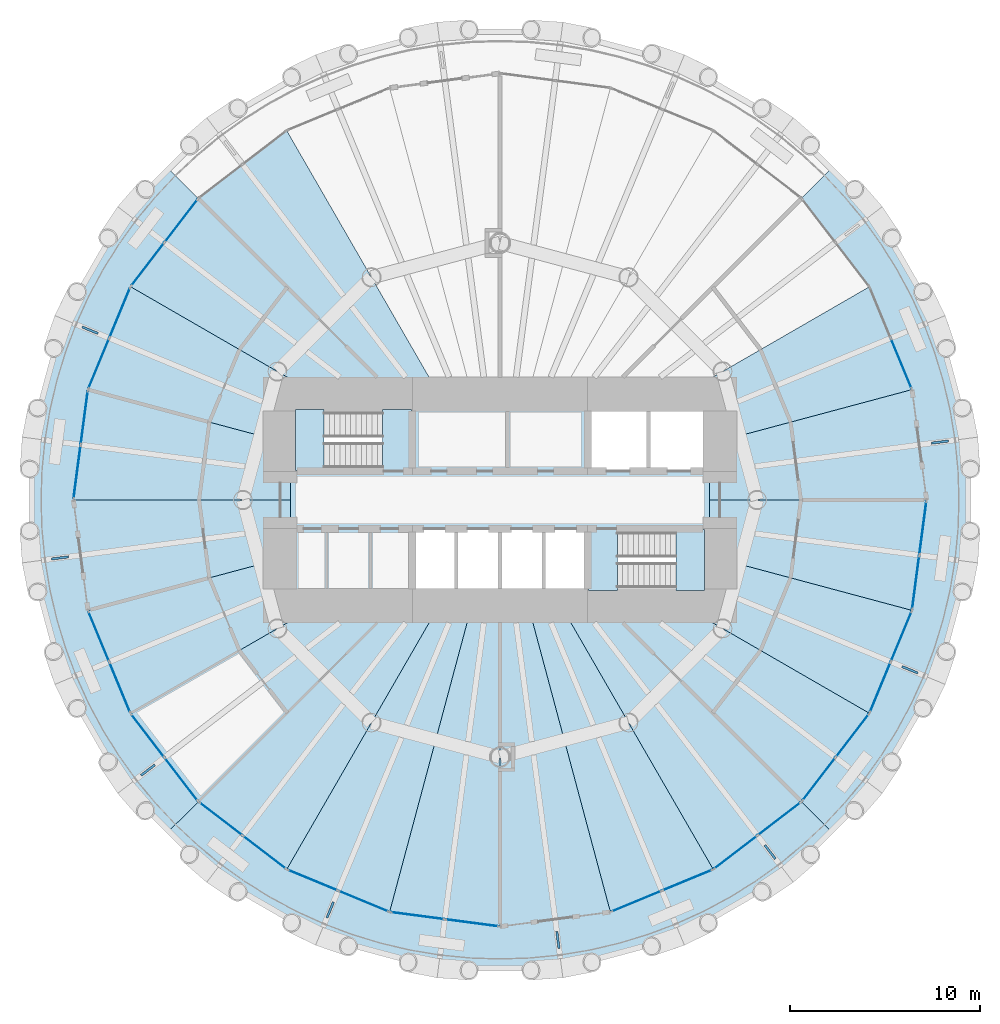
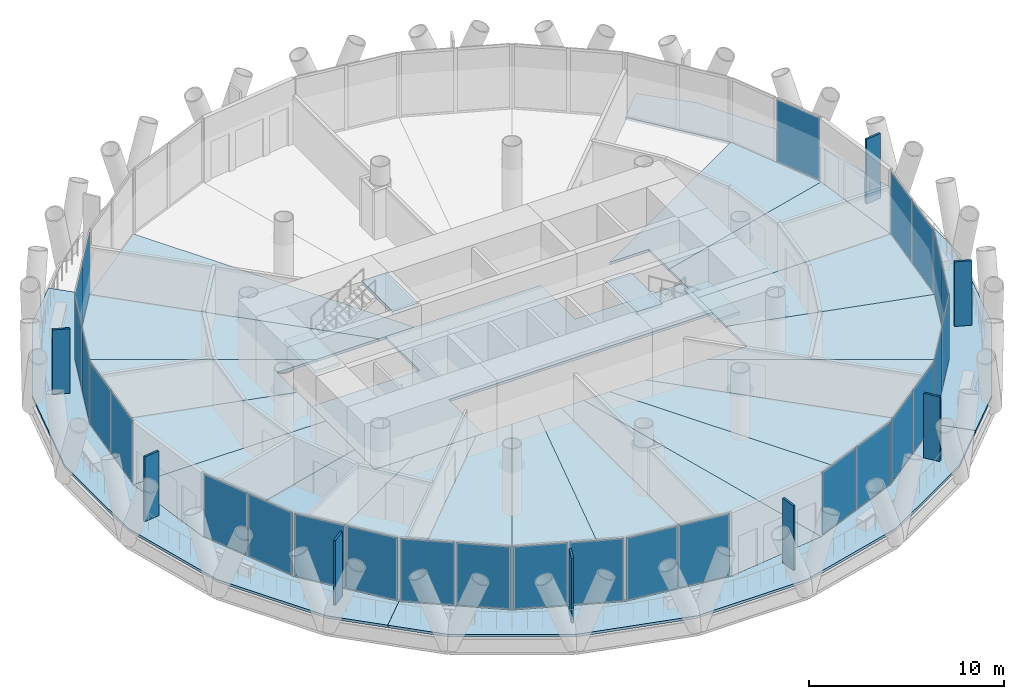
# One storey, part 7 of 14: 35 plates, 26 slabs, 16 elements without a shape of their own.
"""IFC4 building model written with IfcOpenShell, lengths in metres."""

from ifc_helpers import new_model, si_unit, direction, frame, origin, origin_2d, place, context, subcontext, project, spatial, polyline, rectangle, outline, extrude, material, layer, layer_set, type_object, element, aggregate, save


model = new_model("IFC4")

# Units and contexts
model_context = context("Model", 3, precision=1e-05, world=origin(), true_north=direction((0.0, 1.0)))
body_context = subcontext(model_context, "Body", "Model", "MODEL_VIEW")
ifc_project = project(units=[si_unit("LENGTHUNIT", "METRE"), si_unit("AREAUNIT", "SQUARE_METRE"), si_unit("VOLUMEUNIT", "CUBIC_METRE"), si_unit("PLANEANGLEUNIT", "RADIAN"), si_unit("MASSUNIT", "GRAM", prefix="KILO")], contexts=[model_context])

# Site, building, storey
site_placement = place(None, origin())
site = spatial("IfcSite", under=ifc_project, at=site_placement, CompositionType="ELEMENT")
building_placement = place(site_placement, origin())
building = spatial("IfcBuilding", under=site, at=building_placement, Name="Qaws Media Tower", CompositionType="ELEMENT")
storey_placement = place(building_placement, frame((0.0, 0.0, 152.0)))
storey = spatial("IfcBuildingStorey", under=building, at=storey_placement, Name="L34", CompositionType="ELEMENT", Elevation=152.0)

# Slabs
ifc_material_1 = material(Name="Concrete C35/45", Category="concrete")
ifc_layer_1 = layer(ifc_material_1, 0.159912109375)
ifc_layer_set_1 = layer_set([ifc_layer_1], Name="Composite balcony slab 160")
slab_type_1 = type_object("IfcSlabType", Name="Composite balcony slab 160", PredefinedType="FLOOR", material=ifc_layer_set_1)
slab_1_placement = place(storey_placement, frame((0.0, 0.0, -0.159912109375)))
element("IfcSlab", 1, at=slab_1_placement, inside=storey, type_object=slab_type_1, Name="S2 balcony slab L34 R10 to R16, movement joints on R10 and R16", PredefinedType="FLOOR", context=body_context, shape_type="SweptSolid", body=[
    extrude(outline(polyline([(40.32470703125, 34.902587890625), (37.087890625, 40.509521484375), (35.412109375, 46.762939453125), (35.412109375, 53.237060546875), (37.087890625, 59.490478515625), (40.32470703125, 65.097412109375), (42.61376953125, 67.38623046875), (44.160888671875, 65.839111328125), (40.60107421875, 61.199951171875), (38.36328125, 55.797607421875), (37.60009765625, 50.0), (38.36328125, 44.202392578125), (40.60107421875, 38.800048828125), (44.160888671875, 34.160888671875), (42.61376953125, 32.61376953125), (40.32470703125, 34.902587890625)])), origin(), (0.0, 0.0, 1.0), 0.159912109375),
])
slab_2_placement = place(storey_placement, frame((0.0, 0.0, -0.159912109375)))
element("IfcSlab", 2, at=slab_2_placement, inside=storey, type_object=slab_type_1, Name="S2 balcony slab L34 R16 to R22, movement joints on R16 and R22", PredefinedType="FLOOR", context=body_context, shape_type="SweptSolid", body=[
    extrude(outline(polyline([(75.097412109375, 30.32470703125), (69.490478515625, 27.087890625), (63.237060546875, 25.412109375), (56.762939453125, 25.412109375), (50.509521484375, 27.087890625), (44.902587890625, 30.32470703125), (42.61376953125, 32.61376953125), (44.160888671875, 34.160888671875), (48.800048828125, 30.60107421875), (54.202392578125, 28.36328125), (60.0, 27.60009765625), (65.797607421875, 28.36328125), (71.199951171875, 30.60107421875), (75.839111328125, 34.160888671875), (77.38623046875, 32.61376953125), (75.097412109375, 30.32470703125)])), origin(), (0.0, 0.0, 1.0), 0.159912109375),
])
slab_3_placement = place(storey_placement, frame((0.0, 0.0, -0.159912109375)))
element("IfcSlab", 3, at=slab_3_placement, inside=storey, type_object=slab_type_1, Name="S2 balcony slab L34 R22 to R04, movement joints on R22 and R04", PredefinedType="FLOOR", context=body_context, shape_type="SweptSolid", body=[
    extrude(outline(polyline([(82.912109375, 40.509521484375), (79.67529296875, 34.902587890625), (77.38623046875, 32.61376953125), (75.839111328125, 34.160888671875), (79.39892578125, 38.800048828125), (81.63671875, 44.202392578125), (82.39990234375, 50.0), (81.63671875, 55.797607421875), (79.39892578125, 61.199951171875), (75.839111328125, 65.839111328125), (77.38623046875, 67.38623046875), (79.67529296875, 65.097412109375), (82.912109375, 59.490478515625), (84.587890625, 53.237060546875), (84.587890625, 46.762939453125), (82.912109375, 40.509521484375)])), origin(), (0.0, 0.0, 1.0), 0.159912109375),
])
ifc_material_2 = material(Name="Concrete C35/45", Category="concrete")
ifc_layer_2 = layer(ifc_material_2, 0.159912109375)
ifc_layer_set_2 = layer_set([ifc_layer_2], Name="Composite floor slab 160")
slab_type_2 = type_object("IfcSlabType", Name="Composite floor slab 160", PredefinedType="FLOOR", material=ifc_layer_set_2)
slab_4_placement = place(storey_placement, frame((0.0, 0.0, -0.159912109375)))
element("IfcSlab", 4, at=slab_4_placement, inside=storey, type_object=slab_type_2, Name="S1 core floor slab L34", PredefinedType="FLOOR", context=body_context, shape_type="SweptSolid", body=[
    extrude(outline(polyline([(71.0, 51.5), (71.0, 48.5), (55.39990234375, 48.5), (55.39990234375, 45.0), (49.0, 45.0), (49.0, 51.5), (55.39990234375, 51.5), (55.39990234375, 55.0), (64.60009765625, 55.0), (64.60009765625, 51.5), (71.0, 51.5)])), origin(), (0.0, 0.0, 1.0), 0.159912109375),
])
slab_5_placement = place(storey_placement, frame((0.0, 0.0, -0.159912109375)))
element("IfcSlab", 5, at=slab_5_placement, inside=storey, type_object=slab_type_2, Name="S1 floor panel L34 on R01+7.5", PredefinedType="FLOOR", context=body_context, shape_type="SweptSolid", body=[
    extrude(outline(polyline([(82.39990234375, 50.0), (71.0, 50.0), (71.0, 52.947509765625), (81.63671875, 55.797607421875), (82.39990234375, 50.0)])), origin(), (0.0, 0.0, 1.0), 0.159912109375),
])
slab_6_placement = place(storey_placement, frame((0.0, 0.0, -0.159912109375)))
element("IfcSlab", 6, at=slab_6_placement, inside=storey, type_object=slab_type_2, Name="S1 floor panel L34 on R02+7.5", PredefinedType="FLOOR", context=body_context, shape_type="SweptSolid", body=[
    extrude(outline(polyline([(79.39892578125, 61.199951171875), (81.63671875, 55.797607421875), (71.0, 52.947509765625), (71.0, 55.0), (68.660400390625, 55.0), (79.39892578125, 61.199951171875)])), origin(), (0.0, 0.0, 1.0), 0.159912109375),
])
slab_7_placement = place(storey_placement, frame((0.0, 0.0, -0.159912109375)))
element("IfcSlab", 7, at=slab_7_placement, inside=storey, type_object=slab_type_2, Name="S1 floor panel L34 on R09+7.5", PredefinedType="FLOOR", context=body_context, shape_type="SweptSolid", body=[
    extrude(outline(polyline([(48.800048828125, 69.39892578125), (57.11328125, 55.0), (55.0, 55.0), (44.160888671875, 65.839111328125), (48.800048828125, 69.39892578125)])), origin(), (0.0, 0.0, 1.0), 0.159912109375),
])
slab_8_placement = place(storey_placement, frame((0.0, 0.0, -0.159912109375)))
element("IfcSlab", 8, at=slab_8_placement, inside=storey, type_object=slab_type_2, Name="S1 floor panel L34 on R10+7.5", PredefinedType="FLOOR", context=body_context, shape_type="SweptSolid", body=[
    extrude(outline(polyline([(44.160888671875, 65.839111328125), (55.0, 55.0), (51.339599609375, 55.0), (40.60107421875, 61.199951171875), (44.160888671875, 65.839111328125)])), origin(), (0.0, 0.0, 1.0), 0.159912109375),
])
slab_9_placement = place(storey_placement, frame((0.0, 0.0, -0.159912109375)))
element("IfcSlab", 9, at=slab_9_placement, inside=storey, type_object=slab_type_2, Name="S1 floor panel L34 on R11+7.5", PredefinedType="FLOOR", context=body_context, shape_type="SweptSolid", body=[
    extrude(outline(polyline([(38.36328125, 55.797607421875), (40.60107421875, 61.199951171875), (51.339599609375, 55.0), (49.0, 55.0), (49.0, 52.947509765625), (38.36328125, 55.797607421875)])), origin(), (0.0, 0.0, 1.0), 0.159912109375),
])
slab_10_placement = place(storey_placement, frame((0.0, 0.0, -0.159912109375)))
element("IfcSlab", 10, at=slab_10_placement, inside=storey, type_object=slab_type_2, Name="S1 floor panel L34 on R12+7.5", PredefinedType="FLOOR", context=body_context, shape_type="SweptSolid", body=[
    extrude(outline(polyline([(38.36328125, 55.797607421875), (49.0, 52.947509765625), (49.0, 50.0), (37.60009765625, 50.0), (38.36328125, 55.797607421875)])), origin(), (0.0, 0.0, 1.0), 0.159912109375),
])
slab_11_placement = place(storey_placement, frame((0.0, 0.0, -0.159912109375)))
element("IfcSlab", 11, at=slab_11_placement, inside=storey, type_object=slab_type_2, Name="S1 floor panel L34 on R13+7.5", PredefinedType="FLOOR", context=body_context, shape_type="SweptSolid", body=[
    extrude(outline(polyline([(37.60009765625, 50.0), (49.0, 50.0), (49.0, 47.052490234375), (38.36328125, 44.202392578125), (37.60009765625, 50.0)])), origin(), (0.0, 0.0, 1.0), 0.159912109375),
])
slab_12_placement = place(storey_placement, frame((0.0, 0.0, -0.159912109375)))
element("IfcSlab", 12, at=slab_12_placement, inside=storey, type_object=slab_type_2, Name="S1 floor panel L34 on R14+7.5", PredefinedType="FLOOR", context=body_context, shape_type="SweptSolid", body=[
    extrude(outline(polyline([(40.60107421875, 38.800048828125), (38.36328125, 44.202392578125), (49.0, 47.052490234375), (49.0, 45.0), (51.339599609375, 45.0), (40.60107421875, 38.800048828125)])), origin(), (0.0, 0.0, 1.0), 0.159912109375),
])
slab_13_placement = place(storey_placement, frame((0.0, 0.0, -0.159912109375)))
element("IfcSlab", 13, at=slab_13_placement, inside=storey, type_object=slab_type_2, Name="S1 floor panel L34 on R15+7.5", PredefinedType="FLOOR", context=body_context, shape_type="SweptSolid", body=[
    extrude(outline(polyline([(40.60107421875, 38.800048828125), (51.339599609375, 45.0), (55.0, 45.0), (44.160888671875, 34.160888671875), (40.60107421875, 38.800048828125)])), origin(), (0.0, 0.0, 1.0), 0.159912109375),
])
slab_14_placement = place(storey_placement, frame((0.0, 0.0, -0.159912109375)))
element("IfcSlab", 14, at=slab_14_placement, inside=storey, type_object=slab_type_2, Name="S1 floor panel L34 on R16+7.5", PredefinedType="FLOOR", context=body_context, shape_type="SweptSolid", body=[
    extrude(outline(polyline([(44.160888671875, 34.160888671875), (55.0, 45.0), (57.11328125, 45.0), (48.800048828125, 30.60107421875), (44.160888671875, 34.160888671875)])), origin(), (0.0, 0.0, 1.0), 0.159912109375),
])
slab_15_placement = place(storey_placement, frame((0.0, 0.0, -0.159912109375)))
element("IfcSlab", 15, at=slab_15_placement, inside=storey, type_object=slab_type_2, Name="S1 floor panel L34 on R17+7.5", PredefinedType="FLOOR", context=body_context, shape_type="SweptSolid", body=[
    extrude(outline(polyline([(54.202392578125, 28.36328125), (48.800048828125, 30.60107421875), (57.11328125, 45.0), (58.660400390625, 45.0), (54.202392578125, 28.36328125)])), origin(), (0.0, 0.0, 1.0), 0.159912109375),
])
slab_16_placement = place(storey_placement, frame((0.0, 0.0, -0.159912109375)))
element("IfcSlab", 16, at=slab_16_placement, inside=storey, type_object=slab_type_2, Name="S1 floor panel L34 on R18+7.5", PredefinedType="FLOOR", context=body_context, shape_type="SweptSolid", body=[
    extrude(outline(polyline([(54.202392578125, 28.36328125), (58.660400390625, 45.0), (60.0, 45.0), (60.0, 27.60009765625), (54.202392578125, 28.36328125)])), origin(), (0.0, 0.0, 1.0), 0.159912109375),
])
slab_17_placement = place(storey_placement, frame((0.0, 0.0, -0.159912109375)))
element("IfcSlab", 17, at=slab_17_placement, inside=storey, type_object=slab_type_2, Name="S1 floor panel L34 on R19+7.5", PredefinedType="FLOOR", context=body_context, shape_type="SweptSolid", body=[
    extrude(outline(polyline([(60.0, 27.60009765625), (60.0, 45.0), (61.339599609375, 45.0), (65.797607421875, 28.36328125), (60.0, 27.60009765625)])), origin(), (0.0, 0.0, 1.0), 0.159912109375),
])
slab_18_placement = place(storey_placement, frame((0.0, 0.0, -0.159912109375)))
element("IfcSlab", 18, at=slab_18_placement, inside=storey, type_object=slab_type_2, Name="S1 floor panel L34 on R20+7.5", PredefinedType="FLOOR", context=body_context, shape_type="SweptSolid", body=[
    extrude(outline(polyline([(71.199951171875, 30.60107421875), (65.797607421875, 28.36328125), (61.339599609375, 45.0), (62.88671875, 45.0), (71.199951171875, 30.60107421875)])), origin(), (0.0, 0.0, 1.0), 0.159912109375),
])
slab_19_placement = place(storey_placement, frame((0.0, 0.0, -0.159912109375)))
element("IfcSlab", 19, at=slab_19_placement, inside=storey, type_object=slab_type_2, Name="S1 floor panel L34 on R21+7.5", PredefinedType="FLOOR", context=body_context, shape_type="SweptSolid", body=[
    extrude(outline(polyline([(71.199951171875, 30.60107421875), (62.88671875, 45.0), (65.0, 45.0), (75.839111328125, 34.160888671875), (71.199951171875, 30.60107421875)])), origin(), (0.0, 0.0, 1.0), 0.159912109375),
])
slab_20_placement = place(storey_placement, frame((0.0, 0.0, -0.159912109375)))
element("IfcSlab", 20, at=slab_20_placement, inside=storey, type_object=slab_type_2, Name="S1 floor panel L34 on R22+7.5", PredefinedType="FLOOR", context=body_context, shape_type="SweptSolid", body=[
    extrude(outline(polyline([(75.839111328125, 34.160888671875), (65.0, 45.0), (68.660400390625, 45.0), (79.39892578125, 38.800048828125), (75.839111328125, 34.160888671875)])), origin(), (0.0, 0.0, 1.0), 0.159912109375),
])
slab_21_placement = place(storey_placement, frame((0.0, 0.0, -0.159912109375)))
element("IfcSlab", 21, at=slab_21_placement, inside=storey, type_object=slab_type_2, Name="S1 floor panel L34 on R23+7.5", PredefinedType="FLOOR", context=body_context, shape_type="SweptSolid", body=[
    extrude(outline(polyline([(81.63671875, 44.202392578125), (79.39892578125, 38.800048828125), (68.660400390625, 45.0), (71.0, 45.0), (71.0, 47.052490234375), (81.63671875, 44.202392578125)])), origin(), (0.0, 0.0, 1.0), 0.159912109375),
])
slab_22_placement = place(storey_placement, frame((0.0, 0.0, -0.159912109375)))
element("IfcSlab", 22, at=slab_22_placement, inside=storey, type_object=slab_type_2, Name="S1 floor panel L34 on R24+7.5", PredefinedType="FLOOR", context=body_context, shape_type="SweptSolid", body=[
    extrude(outline(polyline([(81.63671875, 44.202392578125), (71.0, 47.052490234375), (71.0, 50.0), (82.39990234375, 50.0), (81.63671875, 44.202392578125)])), origin(), (0.0, 0.0, 1.0), 0.159912109375),
])

# Curtain wall, plate
ifc_material_3 = material(Name="Aluminium and clear glass", Category="aluminium")
curtain_wall_type = type_object("IfcCurtainWallType", Name="Unitised curtain wall CW-B", PredefinedType="NOTDEFINED", material=ifc_material_3)
curtain_wall_1_placement = place(storey_placement, origin())
curtain_wall_1 = element("IfcCurtainWall", 23, at=curtain_wall_1_placement, inside=storey, type_object=curtain_wall_type, Name="CWB curtain wall L34-02", PredefinedType="NOTDEFINED")
ifc_material_4 = material(Name="Clear laminated double glazing", Category="glass")
ifc_layer_3 = layer(ifc_material_4, 0.031982421875)
ifc_layer_set_3 = layer_set([ifc_layer_3], Name="Curtain wall glass unit 32")
plate_type_1 = type_object("IfcPlateType", Name="Curtain wall glass unit 32", PredefinedType="CURTAIN_PANEL", material=ifc_layer_set_3)
plate_1_placement = place(storey_placement, frame((81.069580078125, 57.166748046875, 0.080078125), z_axis=(0.0, 0.0, 1.0), x_axis=(-0.382683534144, 0.923879490353, 0.0)))
plate_1 = element("IfcPlate", 24, at=plate_1_placement, type_object=plate_type_1, Name="CWB panel 1.1", PredefinedType="CURTAIN_PANEL", context=body_context, shape_type="SweptSolid", body=[
    extrude(rectangle(XDim=2.8037109375, YDim=0.031982421875, at=origin_2d()), origin(), (0.0, 0.0, 1.0), 3.8798828125),
])
aggregate(curtain_wall_1, [plate_1])

# Curtain wall, plates
curtain_wall_2_placement = place(storey_placement, origin())
curtain_wall_2 = element("IfcCurtainWall", 25, at=curtain_wall_2_placement, inside=storey, type_object=curtain_wall_type, Name="CWB curtain wall L34-10", PredefinedType="NOTDEFINED")
plate_2_placement = place(storey_placement, frame((43.2587890625, 64.66357421875, 0.080078125), z_axis=(0.0, 0.0, 1.0), x_axis=(-0.608761404902, -0.793353358789, 0.0)))
plate_2 = element("IfcPlate", 26, at=plate_2_placement, type_object=plate_type_1, Name="CWB panel 1.1", PredefinedType="CURTAIN_PANEL", context=body_context, shape_type="SweptSolid", body=[
    extrude(rectangle(XDim=2.8037109375, YDim=0.031982421875, at=origin_2d()), origin(), (0.0, 0.0, 1.0), 3.8798828125),
])
plate_3_placement = place(storey_placement, frame((41.503173828125, 62.375732421875, 0.080078125), z_axis=(0.0, 0.0, 1.0), x_axis=(-0.608761404902, -0.793353358789, 0.0)))
plate_3 = element("IfcPlate", 27, at=plate_3_placement, type_object=plate_type_1, Name="CWB panel 2.1", PredefinedType="CURTAIN_PANEL", context=body_context, shape_type="SweptSolid", body=[
    extrude(rectangle(XDim=2.8037109375, YDim=0.031982421875, at=origin_2d()), origin(), (0.0, 0.0, 1.0), 3.8798828125),
])
aggregate(curtain_wall_2, [plate_2, plate_3])

curtain_wall_3_placement = place(storey_placement, origin())
curtain_wall_3 = element("IfcCurtainWall", 28, at=curtain_wall_3_placement, inside=storey, type_object=curtain_wall_type, Name="CWB curtain wall L34-11", PredefinedType="NOTDEFINED")
plate_4_placement = place(storey_placement, frame((40.033935546875, 59.830810546875, 0.080078125), z_axis=(0.0, 0.0, 1.0), x_axis=(-0.382683534144, -0.923879490353, 0.0)))
plate_4 = element("IfcPlate", 29, at=plate_4_placement, type_object=plate_type_1, Name="CWB panel 1.1", PredefinedType="CURTAIN_PANEL", context=body_context, shape_type="SweptSolid", body=[
    extrude(rectangle(XDim=2.8037109375, YDim=0.031982421875, at=origin_2d()), origin(), (0.0, 0.0, 1.0), 3.8798828125),
])
plate_5_placement = place(storey_placement, frame((38.930419921875, 57.166748046875, 0.080078125), z_axis=(0.0, 0.0, 1.0), x_axis=(-0.382683534144, -0.923879490353, 0.0)))
plate_5 = element("IfcPlate", 30, at=plate_5_placement, type_object=plate_type_1, Name="CWB panel 2.1", PredefinedType="CURTAIN_PANEL", context=body_context, shape_type="SweptSolid", body=[
    extrude(rectangle(XDim=2.8037109375, YDim=0.031982421875, at=origin_2d()), origin(), (0.0, 0.0, 1.0), 3.8798828125),
])
aggregate(curtain_wall_3, [plate_4, plate_5])

curtain_wall_4_placement = place(storey_placement, origin())
curtain_wall_4 = element("IfcCurtainWall", 31, at=curtain_wall_4_placement, inside=storey, type_object=curtain_wall_type, Name="CWB curtain wall L34-12", PredefinedType="NOTDEFINED")
plate_6_placement = place(storey_placement, frame((38.169921875, 54.328369140625, 0.080078125), z_axis=(0.0, 0.0, 1.0), x_axis=(-0.130526101045, -0.991444873377, 0.0)))
plate_6 = element("IfcPlate", 32, at=plate_6_placement, type_object=plate_type_1, Name="CWB panel 1.1", PredefinedType="CURTAIN_PANEL", context=body_context, shape_type="SweptSolid", body=[
    extrude(rectangle(XDim=2.8037109375, YDim=0.031982421875, at=origin_2d()), origin(), (0.0, 0.0, 1.0), 3.8798828125),
])
plate_7_placement = place(storey_placement, frame((37.79345703125, 51.46923828125, 0.080078125), z_axis=(0.0, 0.0, 1.0), x_axis=(-0.130526101045, -0.991444873377, 0.0)))
plate_7 = element("IfcPlate", 33, at=plate_7_placement, type_object=plate_type_1, Name="CWB panel 2.1", PredefinedType="CURTAIN_PANEL", context=body_context, shape_type="SweptSolid", body=[
    extrude(rectangle(XDim=2.8037109375, YDim=0.031982421875, at=origin_2d()), origin(), (0.0, 0.0, 1.0), 3.8798828125),
])
aggregate(curtain_wall_4, [plate_6, plate_7])

curtain_wall_5_placement = place(storey_placement, origin())
curtain_wall_5 = element("IfcCurtainWall", 34, at=curtain_wall_5_placement, inside=storey, type_object=curtain_wall_type, Name="CWB curtain wall L34-14", PredefinedType="NOTDEFINED")
plate_8_placement = place(storey_placement, frame((38.930419921875, 42.833251953125, 0.080078125), z_axis=(0.0, 0.0, 1.0), x_axis=(0.382683534144, -0.923879490353, 0.0)))
plate_8 = element("IfcPlate", 35, at=plate_8_placement, type_object=plate_type_1, Name="CWB panel 1.1", PredefinedType="CURTAIN_PANEL", context=body_context, shape_type="SweptSolid", body=[
    extrude(rectangle(XDim=2.8037109375, YDim=0.031982421875, at=origin_2d()), origin(), (0.0, 0.0, 1.0), 3.8798828125),
])
plate_9_placement = place(storey_placement, frame((40.033935546875, 40.169189453125, 0.080078125), z_axis=(0.0, 0.0, 1.0), x_axis=(0.382683534144, -0.923879490353, 0.0)))
plate_9 = element("IfcPlate", 36, at=plate_9_placement, type_object=plate_type_1, Name="CWB panel 2.1", PredefinedType="CURTAIN_PANEL", context=body_context, shape_type="SweptSolid", body=[
    extrude(rectangle(XDim=2.8037109375, YDim=0.031982421875, at=origin_2d()), origin(), (0.0, 0.0, 1.0), 3.8798828125),
])
aggregate(curtain_wall_5, [plate_8, plate_9])

curtain_wall_6_placement = place(storey_placement, origin())
curtain_wall_6 = element("IfcCurtainWall", 37, at=curtain_wall_6_placement, inside=storey, type_object=curtain_wall_type, Name="CWB curtain wall L34-15", PredefinedType="NOTDEFINED")
plate_10_placement = place(storey_placement, frame((41.503173828125, 37.624267578125, 0.080078125), z_axis=(0.0, 0.0, 1.0), x_axis=(0.608761404902, -0.793353358789, 0.0)))
plate_10 = element("IfcPlate", 38, at=plate_10_placement, type_object=plate_type_1, Name="CWB panel 1.1", PredefinedType="CURTAIN_PANEL", context=body_context, shape_type="SweptSolid", body=[
    extrude(rectangle(XDim=2.8037109375, YDim=0.031982421875, at=origin_2d()), origin(), (0.0, 0.0, 1.0), 3.8798828125),
])
plate_11_placement = place(storey_placement, frame((43.2587890625, 35.33642578125, 0.080078125), z_axis=(0.0, 0.0, 1.0), x_axis=(0.608761404902, -0.793353358789, 0.0)))
plate_11 = element("IfcPlate", 39, at=plate_11_placement, type_object=plate_type_1, Name="CWB panel 2.1", PredefinedType="CURTAIN_PANEL", context=body_context, shape_type="SweptSolid", body=[
    extrude(rectangle(XDim=2.8037109375, YDim=0.031982421875, at=origin_2d()), origin(), (0.0, 0.0, 1.0), 3.8798828125),
])
aggregate(curtain_wall_6, [plate_10, plate_11])

curtain_wall_7_placement = place(storey_placement, origin())
curtain_wall_7 = element("IfcCurtainWall", 40, at=curtain_wall_7_placement, inside=storey, type_object=curtain_wall_type, Name="CWB curtain wall L34-16", PredefinedType="NOTDEFINED")
plate_12_placement = place(storey_placement, frame((45.33642578125, 33.2587890625, 0.080078125), z_axis=(0.0, 0.0, 1.0), x_axis=(0.793353358789, -0.608761404902, 0.0)))
plate_12 = element("IfcPlate", 41, at=plate_12_placement, type_object=plate_type_1, Name="CWB panel 1.1", PredefinedType="CURTAIN_PANEL", context=body_context, shape_type="SweptSolid", body=[
    extrude(rectangle(XDim=2.8037109375, YDim=0.031982421875, at=origin_2d()), origin(), (0.0, 0.0, 1.0), 3.8798828125),
])
plate_13_placement = place(storey_placement, frame((47.624267578125, 31.503173828125, 0.080078125), z_axis=(0.0, 0.0, 1.0), x_axis=(0.793353358789, -0.608761404902, 0.0)))
plate_13 = element("IfcPlate", 42, at=plate_13_placement, type_object=plate_type_1, Name="CWB panel 2.1", PredefinedType="CURTAIN_PANEL", context=body_context, shape_type="SweptSolid", body=[
    extrude(rectangle(XDim=2.8037109375, YDim=0.031982421875, at=origin_2d()), origin(), (0.0, 0.0, 1.0), 3.8798828125),
])
aggregate(curtain_wall_7, [plate_12, plate_13])

curtain_wall_8_placement = place(storey_placement, origin())
curtain_wall_8 = element("IfcCurtainWall", 43, at=curtain_wall_8_placement, inside=storey, type_object=curtain_wall_type, Name="CWB curtain wall L34-17", PredefinedType="NOTDEFINED")
plate_14_placement = place(storey_placement, frame((50.169189453125, 30.033935546875, 0.080078125), z_axis=(0.0, 0.0, 1.0), x_axis=(0.923879490353, -0.382683534144, 0.0)))
plate_14 = element("IfcPlate", 44, at=plate_14_placement, type_object=plate_type_1, Name="CWB panel 1.1", PredefinedType="CURTAIN_PANEL", context=body_context, shape_type="SweptSolid", body=[
    extrude(rectangle(XDim=2.8037109375, YDim=0.031982421875, at=origin_2d()), origin(), (0.0, 0.0, 1.0), 3.8798828125),
])
plate_15_placement = place(storey_placement, frame((52.833251953125, 28.930419921875, 0.080078125), z_axis=(0.0, 0.0, 1.0), x_axis=(0.923879490353, -0.382683534144, 0.0)))
plate_15 = element("IfcPlate", 45, at=plate_15_placement, type_object=plate_type_1, Name="CWB panel 2.1", PredefinedType="CURTAIN_PANEL", context=body_context, shape_type="SweptSolid", body=[
    extrude(rectangle(XDim=2.8037109375, YDim=0.031982421875, at=origin_2d()), origin(), (0.0, 0.0, 1.0), 3.8798828125),
])
aggregate(curtain_wall_8, [plate_14, plate_15])

curtain_wall_9_placement = place(storey_placement, origin())
curtain_wall_9 = element("IfcCurtainWall", 46, at=curtain_wall_9_placement, inside=storey, type_object=curtain_wall_type, Name="CWB curtain wall L34-18", PredefinedType="NOTDEFINED")
plate_16_placement = place(storey_placement, frame((55.671630859375, 28.169921875, 0.080078125), z_axis=(0.0, 0.0, 1.0), x_axis=(0.991444873377, -0.130526101045, 0.0)))
plate_16 = element("IfcPlate", 47, at=plate_16_placement, type_object=plate_type_1, Name="CWB panel 1.1", PredefinedType="CURTAIN_PANEL", context=body_context, shape_type="SweptSolid", body=[
    extrude(rectangle(XDim=2.8037109375, YDim=0.031982421875, at=origin_2d()), origin(), (0.0, 0.0, 1.0), 3.8798828125),
])
plate_17_placement = place(storey_placement, frame((58.53076171875, 27.79345703125, 0.080078125), z_axis=(0.0, 0.0, 1.0), x_axis=(0.991444873377, -0.130526101045, 0.0)))
plate_17 = element("IfcPlate", 48, at=plate_17_placement, type_object=plate_type_1, Name="CWB panel 2.1", PredefinedType="CURTAIN_PANEL", context=body_context, shape_type="SweptSolid", body=[
    extrude(rectangle(XDim=2.8037109375, YDim=0.031982421875, at=origin_2d()), origin(), (0.0, 0.0, 1.0), 3.8798828125),
])
aggregate(curtain_wall_9, [plate_16, plate_17])

curtain_wall_10_placement = place(storey_placement, origin())
curtain_wall_10 = element("IfcCurtainWall", 49, at=curtain_wall_10_placement, inside=storey, type_object=curtain_wall_type, Name="CWB curtain wall L34-20", PredefinedType="NOTDEFINED")
plate_18_placement = place(storey_placement, frame((67.166748046875, 28.930419921875, 0.080078125), z_axis=(0.0, 0.0, 1.0), x_axis=(0.923879490353, 0.382683534144, 0.0)))
plate_18 = element("IfcPlate", 50, at=plate_18_placement, type_object=plate_type_1, Name="CWB panel 1.1", PredefinedType="CURTAIN_PANEL", context=body_context, shape_type="SweptSolid", body=[
    extrude(rectangle(XDim=2.8037109375, YDim=0.031982421875, at=origin_2d()), origin(), (0.0, 0.0, 1.0), 3.8798828125),
])
plate_19_placement = place(storey_placement, frame((69.830810546875, 30.033935546875, 0.080078125), z_axis=(0.0, 0.0, 1.0), x_axis=(0.923879490353, 0.382683534144, 0.0)))
plate_19 = element("IfcPlate", 51, at=plate_19_placement, type_object=plate_type_1, Name="CWB panel 2.1", PredefinedType="CURTAIN_PANEL", context=body_context, shape_type="SweptSolid", body=[
    extrude(rectangle(XDim=2.8037109375, YDim=0.031982421875, at=origin_2d()), origin(), (0.0, 0.0, 1.0), 3.8798828125),
])
aggregate(curtain_wall_10, [plate_18, plate_19])

curtain_wall_11_placement = place(storey_placement, origin())
curtain_wall_11 = element("IfcCurtainWall", 52, at=curtain_wall_11_placement, inside=storey, type_object=curtain_wall_type, Name="CWB curtain wall L34-21", PredefinedType="NOTDEFINED")
plate_20_placement = place(storey_placement, frame((72.375732421875, 31.503173828125, 0.080078125), z_axis=(0.0, 0.0, 1.0), x_axis=(0.793353358789, 0.608761404902, 0.0)))
plate_20 = element("IfcPlate", 53, at=plate_20_placement, type_object=plate_type_1, Name="CWB panel 1.1", PredefinedType="CURTAIN_PANEL", context=body_context, shape_type="SweptSolid", body=[
    extrude(rectangle(XDim=2.8037109375, YDim=0.031982421875, at=origin_2d()), origin(), (0.0, 0.0, 1.0), 3.8798828125),
])
plate_21_placement = place(storey_placement, frame((74.66357421875, 33.2587890625, 0.080078125), z_axis=(0.0, 0.0, 1.0), x_axis=(0.793353358789, 0.608761404902, 0.0)))
plate_21 = element("IfcPlate", 54, at=plate_21_placement, type_object=plate_type_1, Name="CWB panel 2.1", PredefinedType="CURTAIN_PANEL", context=body_context, shape_type="SweptSolid", body=[
    extrude(rectangle(XDim=2.8037109375, YDim=0.031982421875, at=origin_2d()), origin(), (0.0, 0.0, 1.0), 3.8798828125),
])
aggregate(curtain_wall_11, [plate_20, plate_21])

curtain_wall_12_placement = place(storey_placement, origin())
curtain_wall_12 = element("IfcCurtainWall", 55, at=curtain_wall_12_placement, inside=storey, type_object=curtain_wall_type, Name="CWB curtain wall L34-22", PredefinedType="NOTDEFINED")
plate_22_placement = place(storey_placement, frame((76.7412109375, 35.33642578125, 0.080078125), z_axis=(0.0, 0.0, 1.0), x_axis=(0.608761404902, 0.793353358789, 0.0)))
plate_22 = element("IfcPlate", 56, at=plate_22_placement, type_object=plate_type_1, Name="CWB panel 1.1", PredefinedType="CURTAIN_PANEL", context=body_context, shape_type="SweptSolid", body=[
    extrude(rectangle(XDim=2.8037109375, YDim=0.031982421875, at=origin_2d()), origin(), (0.0, 0.0, 1.0), 3.8798828125),
])
plate_23_placement = place(storey_placement, frame((78.496826171875, 37.624267578125, 0.080078125), z_axis=(0.0, 0.0, 1.0), x_axis=(0.608761404902, 0.793353358789, 0.0)))
plate_23 = element("IfcPlate", 57, at=plate_23_placement, type_object=plate_type_1, Name="CWB panel 2.1", PredefinedType="CURTAIN_PANEL", context=body_context, shape_type="SweptSolid", body=[
    extrude(rectangle(XDim=2.8037109375, YDim=0.031982421875, at=origin_2d()), origin(), (0.0, 0.0, 1.0), 3.8798828125),
])
aggregate(curtain_wall_12, [plate_22, plate_23])

curtain_wall_13_placement = place(storey_placement, origin())
curtain_wall_13 = element("IfcCurtainWall", 58, at=curtain_wall_13_placement, inside=storey, type_object=curtain_wall_type, Name="CWB curtain wall L34-23", PredefinedType="NOTDEFINED")
plate_24_placement = place(storey_placement, frame((79.966064453125, 40.169189453125, 0.080078125), z_axis=(0.0, 0.0, 1.0), x_axis=(0.382683534144, 0.923879490353, 0.0)))
plate_24 = element("IfcPlate", 59, at=plate_24_placement, type_object=plate_type_1, Name="CWB panel 1.1", PredefinedType="CURTAIN_PANEL", context=body_context, shape_type="SweptSolid", body=[
    extrude(rectangle(XDim=2.8037109375, YDim=0.031982421875, at=origin_2d()), origin(), (0.0, 0.0, 1.0), 3.8798828125),
])
plate_25_placement = place(storey_placement, frame((81.069580078125, 42.833251953125, 0.080078125), z_axis=(0.0, 0.0, 1.0), x_axis=(0.382683534144, 0.923879490353, 0.0)))
plate_25 = element("IfcPlate", 60, at=plate_25_placement, type_object=plate_type_1, Name="CWB panel 2.1", PredefinedType="CURTAIN_PANEL", context=body_context, shape_type="SweptSolid", body=[
    extrude(rectangle(XDim=2.8037109375, YDim=0.031982421875, at=origin_2d()), origin(), (0.0, 0.0, 1.0), 3.8798828125),
])
aggregate(curtain_wall_13, [plate_24, plate_25])

curtain_wall_14_placement = place(storey_placement, origin())
curtain_wall_14 = element("IfcCurtainWall", 61, at=curtain_wall_14_placement, inside=storey, type_object=curtain_wall_type, Name="CWB curtain wall L34-24", PredefinedType="NOTDEFINED")
plate_26_placement = place(storey_placement, frame((81.830078125, 45.671630859375, 0.080078125), z_axis=(0.0, 0.0, 1.0), x_axis=(0.130526101045, 0.991444873377, 0.0)))
plate_26 = element("IfcPlate", 62, at=plate_26_placement, type_object=plate_type_1, Name="CWB panel 1.1", PredefinedType="CURTAIN_PANEL", context=body_context, shape_type="SweptSolid", body=[
    extrude(rectangle(XDim=2.8037109375, YDim=0.031982421875, at=origin_2d()), origin(), (0.0, 0.0, 1.0), 3.8798828125),
])
plate_27_placement = place(storey_placement, frame((82.20654296875, 48.53076171875, 0.080078125), z_axis=(0.0, 0.0, 1.0), x_axis=(0.130526101045, 0.991444873377, 0.0)))
plate_27 = element("IfcPlate", 63, at=plate_27_placement, type_object=plate_type_1, Name="CWB panel 2.1", PredefinedType="CURTAIN_PANEL", context=body_context, shape_type="SweptSolid", body=[
    extrude(rectangle(XDim=2.8037109375, YDim=0.031982421875, at=origin_2d()), origin(), (0.0, 0.0, 1.0), 3.8798828125),
])
aggregate(curtain_wall_14, [plate_26, plate_27])

# Plates
ifc_material_5 = material(Name="Precast concrete screen fin", Category="concrete")
ifc_layer_4 = layer(ifc_material_5, 0.1201171875)
ifc_layer_set_4 = layer_set([ifc_layer_4], Name="Screen fin 120x900")
plate_type_2 = type_object("IfcPlateType", Name="Screen fin 120x900", PredefinedType="USERDEFINED", material=ifc_layer_set_4)
for number, where, z_axis, x_axis, name in (
    (64, (83.1005859375, 53.041259765625, 0.0), (0.0, 0.0, 1.0), (0.991444861374, 0.13052619222, 0.0), "SCR1 screen fin L34-01"),
    (65, (38.4736328125, 58.91650390625, 0.0), (0.0, 0.0, 1.0), (-0.923879532511, 0.382683432365, 0.0), "SCR1 screen fin L34-06"),
    (66, (36.8994140625, 46.958740234375, 0.0), (0.0, 0.0, 1.0), (-0.991444861374, -0.13052619222, 0.0), "SCR1 screen fin L34-07"),
    (67, (41.514892578125, 35.81591796875, 0.0), (0.0, 0.0, 1.0), (-0.793353340291, -0.608761429009, 0.0), "SCR1 screen fin L34-08"),
    (68, (51.08349609375, 28.4736328125, 0.0), (0.0, 0.0, 1.0), (-0.382683432365, -0.923879532511, 0.0), "SCR1 screen fin L34-09"),
    (69, (63.041259765625, 26.8994140625, 0.0), (0.0, 0.0, 1.0), (0.13052619222, -0.991444861374, 0.0), "SCR1 screen fin L34-10"),
    (70, (74.18408203125, 31.514892578125, 0.0), (0.0, 0.0, 1.0), (0.608761429009, -0.793353340291, 0.0), "SCR1 screen fin L34-11"),
    (71, (81.5263671875, 41.08349609375, 0.0), (0.0, 0.0, 1.0), (0.923879532511, -0.382683432365, 0.0), "SCR1 screen fin L34-12"),
):
    element("IfcPlate", number, at=place(storey_placement, frame(where, z_axis=z_axis, x_axis=x_axis)), inside=storey, type_object=plate_type_2, Name=name, ObjectType="SCREEN", PredefinedType="USERDEFINED", context=body_context, shape_type="SweptSolid", body=[
        extrude(rectangle(XDim=0.89990234375, YDim=0.1201171875, at=origin_2d()), origin(), (0.0, 0.0, 1.0), 4.0400390625),
    ])

# Stair, slabs
ifc_material_6 = material(Name="Concrete C40/50", Category="concrete")
stair_type = type_object("IfcStairType", Name="Exit stair", PredefinedType="HALF_TURN_STAIR", material=ifc_material_6)
stair_1_placement = place(storey_placement, origin())
stair_1 = element("IfcStair", 72, at=stair_1_placement, inside=storey, type_object=stair_type, Name="S1 exit stair L34", PredefinedType="HALF_TURN_STAIR")
ifc_material_7 = material(Name="Concrete C40/50", Category="concrete")
ifc_layer_5 = layer(ifc_material_7, 0.199951171875)
ifc_layer_set_5 = layer_set([ifc_layer_5], Name="Stair landing 200")
slab_type_3 = type_object("IfcSlabType", Name="Stair landing 200", PredefinedType="LANDING", material=ifc_layer_set_5)
slab_23_placement = place(storey_placement, frame((0.0, 0.0, 1.89990234375)))
slab_23 = element("IfcSlab", 73, at=slab_23_placement, type_object=slab_type_3, Name="S1 landing 1", PredefinedType="LANDING", context=body_context, shape_type="SweptSolid", body=[
    extrude(outline(polyline([(49.25, 51.550048828125), (50.760009765625, 51.550048828125), (50.760009765625, 54.75), (49.25, 54.75), (49.25, 51.550048828125)])), origin(), (0.0, 0.0, 1.0), 0.2001953125),
])
slab_24_placement = place(storey_placement, frame((0.0, 0.0, 4.0)))
slab_24 = element("IfcSlab", 74, at=slab_24_placement, type_object=slab_type_3, Name="S1 landing 2", PredefinedType="LANDING", context=body_context, shape_type="SweptSolid", body=[
    extrude(outline(polyline([(53.840087890625, 51.550048828125), (55.35009765625, 51.550048828125), (55.35009765625, 54.75), (53.840087890625, 54.75), (53.840087890625, 51.550048828125)])), origin(), (0.0, 0.0, 1.0), 0.199951171875),
])
aggregate(stair_1, [slab_23, slab_24])

stair_2_placement = place(storey_placement, origin())
stair_2 = element("IfcStair", 75, at=stair_2_placement, inside=storey, type_object=stair_type, Name="S2 exit stair L34", PredefinedType="HALF_TURN_STAIR")
slab_25_placement = place(storey_placement, frame((0.0, 0.0, 1.89990234375)))
slab_25 = element("IfcSlab", 76, at=slab_25_placement, type_object=slab_type_3, Name="S2 landing 1", PredefinedType="LANDING", context=body_context, shape_type="SweptSolid", body=[
    extrude(outline(polyline([(69.239990234375, 45.25), (70.75, 45.25), (70.75, 48.449951171875), (69.239990234375, 48.449951171875), (69.239990234375, 45.25)])), origin(), (0.0, 0.0, 1.0), 0.2001953125),
])
slab_26_placement = place(storey_placement, frame((0.0, 0.0, 4.0)))
slab_26 = element("IfcSlab", 77, at=slab_26_placement, type_object=slab_type_3, Name="S2 landing 2", PredefinedType="LANDING", context=body_context, shape_type="SweptSolid", body=[
    extrude(outline(polyline([(64.64990234375, 45.25), (66.159912109375, 45.25), (66.159912109375, 48.449951171875), (64.64990234375, 48.449951171875), (64.64990234375, 45.25)])), origin(), (0.0, 0.0, 1.0), 0.199951171875),
])
aggregate(stair_2, [slab_25, slab_26])

save(model, "model.ifc")
